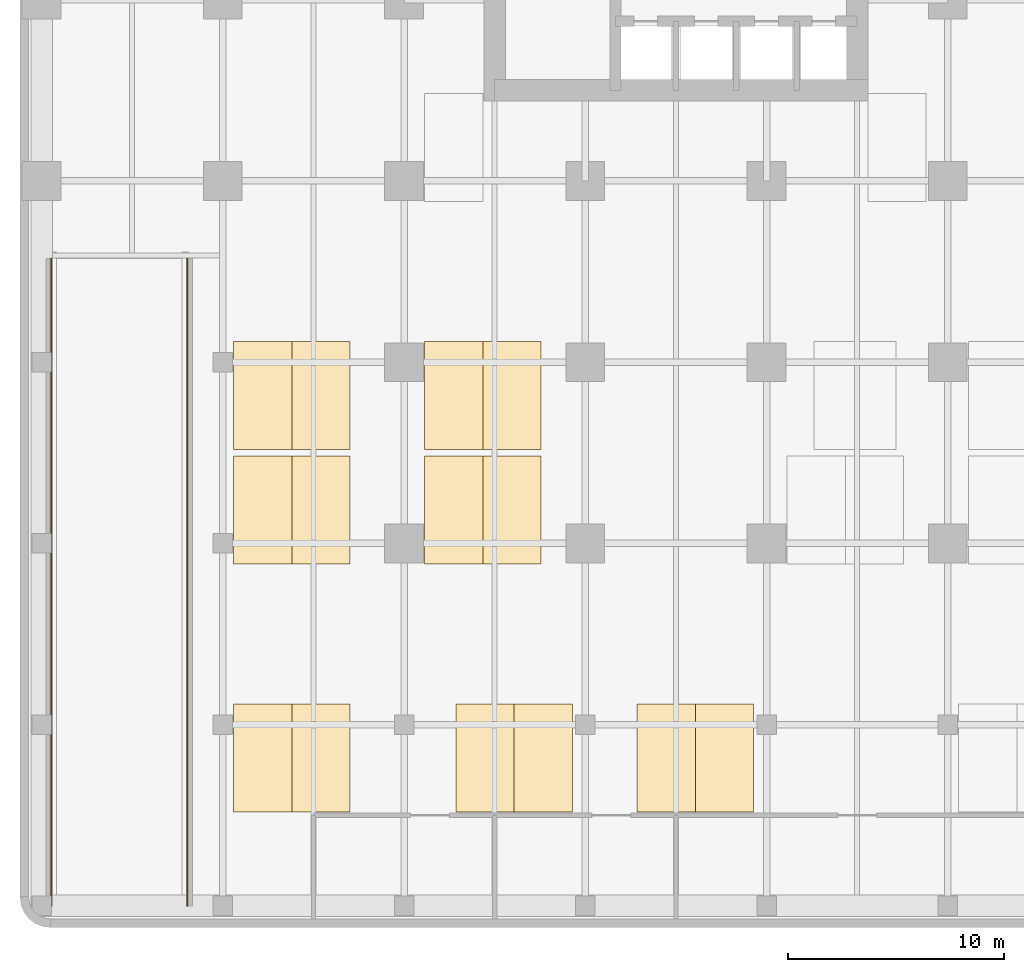
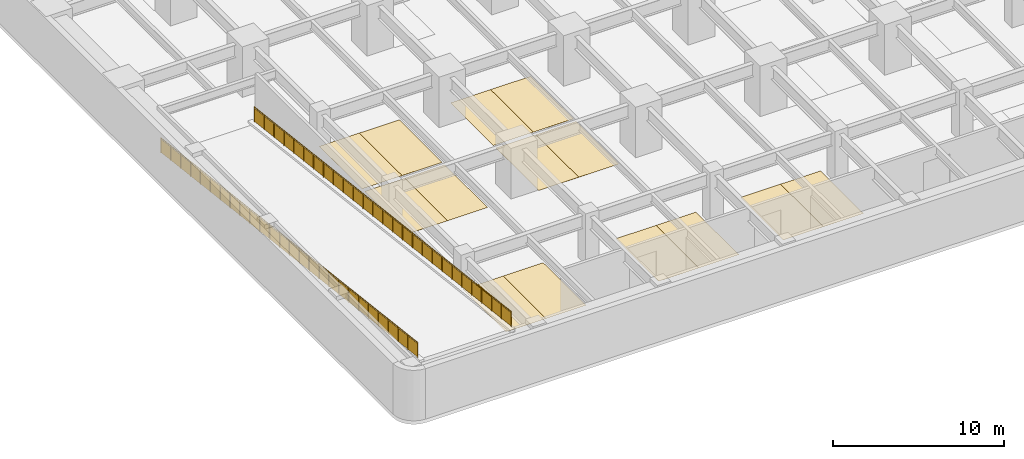
# One storey, part 7 of 9: 14 coverings, 2 railings.
"""IFC4 building model written with IfcOpenShell, lengths in metres."""

from ifc_helpers import new_model, si_unit, direction, frame, origin, origin_2d, place, context, subcontext, project, spatial, polyline, circle, outline, extrude, material, layer, layer_set, type_object, element, save


model = new_model("IFC4")

# Units and contexts
model_context = context("Model", 3, precision=1e-05, world=origin(), true_north=direction((0.0, 1.0)))
body_context = subcontext(model_context, "Body", "Model", "MODEL_VIEW")
ifc_project = project(units=[si_unit("LENGTHUNIT", "METRE"), si_unit("AREAUNIT", "SQUARE_METRE"), si_unit("VOLUMEUNIT", "CUBIC_METRE"), si_unit("PLANEANGLEUNIT", "RADIAN"), si_unit("MASSUNIT", "GRAM", prefix="KILO")], contexts=[model_context])

# Site, building, storey
site_placement = place(None, origin())
site = spatial("IfcSite", under=ifc_project, at=site_placement, CompositionType="ELEMENT")
building_placement = place(site_placement, origin())
building = spatial("IfcBuilding", under=site, at=building_placement, Name="Torre Alcanfor", CompositionType="ELEMENT")
storey_placement = place(building_placement, frame((0.0, 0.0, -3.60009765625)))
storey = spatial("IfcBuildingStorey", under=building, at=storey_placement, Name="B1", CompositionType="ELEMENT", Elevation=-3.60009765625)

# Coverings
ifc_material_1 = material(Name="Line-marking paint on sealed concrete", Category="concrete")
ifc_layer = layer(ifc_material_1, 0.0029296875)
ifc_layer_set = layer_set([ifc_layer], Name="Parking bay marking 2700x5000")
covering_type = type_object("IfcCoveringType", Name="Parking bay marking 2700x5000", PredefinedType="USERDEFINED", material=ifc_layer_set)
covering_1_placement = place(storey_placement, origin())
element("IfcCovering", 1, at=covering_1_placement, inside=storey, type_object=covering_type, Name="Parking bay 101", ObjectType="PARKING BAY", PredefinedType="USERDEFINED", context=body_context, shape_type="SweptSolid", body=[
    extrude(outline(polyline([(8.89990234375, -12.449951171875), (11.60009765625, -12.449951171875), (11.60009765625, -7.449951171875), (8.89990234375, -7.449951171875), (8.89990234375, -12.449951171875)])), origin(), (0.0, 0.0, 1.0), 0.003173828125),
])
covering_2_placement = place(storey_placement, origin())
element("IfcCovering", 2, at=covering_2_placement, inside=storey, type_object=covering_type, Name="Parking bay 102", ObjectType="PARKING BAY", PredefinedType="USERDEFINED", context=body_context, shape_type="SweptSolid", body=[
    extrude(outline(polyline([(11.60009765625, -12.449951171875), (14.300048828125, -12.449951171875), (14.300048828125, -7.449951171875), (11.60009765625, -7.449951171875), (11.60009765625, -12.449951171875)])), origin(), (0.0, 0.0, 1.0), 0.003173828125),
])
covering_3_placement = place(storey_placement, origin())
element("IfcCovering", 3, at=covering_3_placement, inside=storey, type_object=covering_type, Name="Parking bay 103", ObjectType="PARKING BAY", PredefinedType="USERDEFINED", context=body_context, shape_type="SweptSolid", body=[
    extrude(outline(polyline([(19.199951171875, -12.449951171875), (21.89990234375, -12.449951171875), (21.89990234375, -7.449951171875), (19.199951171875, -7.449951171875), (19.199951171875, -12.449951171875)])), origin(), (0.0, 0.0, 1.0), 0.003173828125),
])
covering_4_placement = place(storey_placement, origin())
element("IfcCovering", 4, at=covering_4_placement, inside=storey, type_object=covering_type, Name="Parking bay 104", ObjectType="PARKING BAY", PredefinedType="USERDEFINED", context=body_context, shape_type="SweptSolid", body=[
    extrude(outline(polyline([(21.89990234375, -12.449951171875), (24.60009765625, -12.449951171875), (24.60009765625, -7.449951171875), (21.89990234375, -7.449951171875), (21.89990234375, -12.449951171875)])), origin(), (0.0, 0.0, 1.0), 0.003173828125),
])
covering_5_placement = place(storey_placement, origin())
element("IfcCovering", 5, at=covering_5_placement, inside=storey, type_object=covering_type, Name="Parking bay 105", ObjectType="PARKING BAY", PredefinedType="USERDEFINED", context=body_context, shape_type="SweptSolid", body=[
    extrude(outline(polyline([(27.60009765625, -12.449951171875), (30.300048828125, -12.449951171875), (30.300048828125, -7.449951171875), (27.60009765625, -7.449951171875), (27.60009765625, -12.449951171875)])), origin(), (0.0, 0.0, 1.0), 0.003173828125),
])
covering_6_placement = place(storey_placement, origin())
element("IfcCovering", 6, at=covering_6_placement, inside=storey, type_object=covering_type, Name="Parking bay 106", ObjectType="PARKING BAY", PredefinedType="USERDEFINED", context=body_context, shape_type="SweptSolid", body=[
    extrude(outline(polyline([(30.300048828125, -12.449951171875), (33.0, -12.449951171875), (33.0, -7.449951171875), (30.300048828125, -7.449951171875), (30.300048828125, -12.449951171875)])), origin(), (0.0, 0.0, 1.0), 0.003173828125),
])
covering_7_placement = place(storey_placement, origin())
element("IfcCovering", 7, at=covering_7_placement, inside=storey, type_object=covering_type, Name="Parking bay 110", ObjectType="PARKING BAY", PredefinedType="USERDEFINED", context=body_context, shape_type="SweptSolid", body=[
    extrude(outline(polyline([(8.89990234375, -0.949951171875), (11.60009765625, -0.949951171875), (11.60009765625, 4.050048828125), (8.89990234375, 4.050048828125), (8.89990234375, -0.949951171875)])), origin(), (0.0, 0.0, 1.0), 0.003173828125),
])
covering_8_placement = place(storey_placement, origin())
element("IfcCovering", 8, at=covering_8_placement, inside=storey, type_object=covering_type, Name="Parking bay 111", ObjectType="PARKING BAY", PredefinedType="USERDEFINED", context=body_context, shape_type="SweptSolid", body=[
    extrude(outline(polyline([(11.60009765625, -0.949951171875), (14.300048828125, -0.949951171875), (14.300048828125, 4.050048828125), (11.60009765625, 4.050048828125), (11.60009765625, -0.949951171875)])), origin(), (0.0, 0.0, 1.0), 0.003173828125),
])
covering_9_placement = place(storey_placement, origin())
element("IfcCovering", 9, at=covering_9_placement, inside=storey, type_object=covering_type, Name="Parking bay 112", ObjectType="PARKING BAY", PredefinedType="USERDEFINED", context=body_context, shape_type="SweptSolid", body=[
    extrude(outline(polyline([(17.75, -0.949951171875), (20.449951171875, -0.949951171875), (20.449951171875, 4.050048828125), (17.75, 4.050048828125), (17.75, -0.949951171875)])), origin(), (0.0, 0.0, 1.0), 0.003173828125),
])
covering_10_placement = place(storey_placement, origin())
element("IfcCovering", 10, at=covering_10_placement, inside=storey, type_object=covering_type, Name="Parking bay 113", ObjectType="PARKING BAY", PredefinedType="USERDEFINED", context=body_context, shape_type="SweptSolid", body=[
    extrude(outline(polyline([(20.449951171875, -0.949951171875), (23.14990234375, -0.949951171875), (23.14990234375, 4.050048828125), (20.449951171875, 4.050048828125), (20.449951171875, -0.949951171875)])), origin(), (0.0, 0.0, 1.0), 0.003173828125),
])
covering_11_placement = place(storey_placement, origin())
element("IfcCovering", 11, at=covering_11_placement, inside=storey, type_object=covering_type, Name="Parking bay 118", ObjectType="PARKING BAY", PredefinedType="USERDEFINED", context=body_context, shape_type="SweptSolid", body=[
    extrude(outline(polyline([(8.89990234375, 4.35009765625), (11.60009765625, 4.35009765625), (11.60009765625, 9.35009765625), (8.89990234375, 9.35009765625), (8.89990234375, 4.35009765625)])), origin(), (0.0, 0.0, 1.0), 0.003173828125),
])
covering_12_placement = place(storey_placement, origin())
element("IfcCovering", 12, at=covering_12_placement, inside=storey, type_object=covering_type, Name="Parking bay 119", ObjectType="PARKING BAY", PredefinedType="USERDEFINED", context=body_context, shape_type="SweptSolid", body=[
    extrude(outline(polyline([(11.60009765625, 4.35009765625), (14.300048828125, 4.35009765625), (14.300048828125, 9.35009765625), (11.60009765625, 9.35009765625), (11.60009765625, 4.35009765625)])), origin(), (0.0, 0.0, 1.0), 0.003173828125),
])
covering_13_placement = place(storey_placement, origin())
element("IfcCovering", 13, at=covering_13_placement, inside=storey, type_object=covering_type, Name="Parking bay 120", ObjectType="PARKING BAY", PredefinedType="USERDEFINED", context=body_context, shape_type="SweptSolid", body=[
    extrude(outline(polyline([(17.75, 4.35009765625), (20.449951171875, 4.35009765625), (20.449951171875, 9.35009765625), (17.75, 9.35009765625), (17.75, 4.35009765625)])), origin(), (0.0, 0.0, 1.0), 0.003173828125),
])
covering_14_placement = place(storey_placement, origin())
element("IfcCovering", 14, at=covering_14_placement, inside=storey, type_object=covering_type, Name="Parking bay 121", ObjectType="PARKING BAY", PredefinedType="USERDEFINED", context=body_context, shape_type="SweptSolid", body=[
    extrude(outline(polyline([(20.449951171875, 4.35009765625), (23.14990234375, 4.35009765625), (23.14990234375, 9.35009765625), (20.449951171875, 9.35009765625), (20.449951171875, 4.35009765625)])), origin(), (0.0, 0.0, 1.0), 0.003173828125),
])

# Railings
ifc_material_2 = material(Name="Steel ASTM A500 Grade C hollow sections, hot-dip galvanised ASTM A123", Category="steel")
railing_type = type_object("IfcRailingType", Name="Ramp guard 1100", PredefinedType="GUARDRAIL", material=ifc_material_2)
railing_1_placement = place(storey_placement, frame((0.449951171875, -16.800048828125, 3.75)))
element("IfcRailing", 15, at=railing_1_placement, inside=storey, type_object=railing_type, Name="Ramp guard R1 1", PredefinedType="GUARDRAIL", context=body_context, shape_type="SweptSolid", body=[
    extrude(circle(Radius=0.02392578125, at=origin_2d()), frame((0.0, 0.0, 1.076171875), z_axis=(0.0, 0.992877411981, -0.119140441403), x_axis=(-1.0, 0.0, 0.0)), (0.0, 0.0, 1.0), 30.21533203125),
    extrude(circle(Radius=0.02099609375, at=origin_2d()), origin(), (0.0, 0.0, 1.0), 1.052001953125),
    extrude(circle(Radius=0.02099609375, at=origin_2d()), frame((0.0, 1.15380859375, -0.138427734375)), (0.0, 0.0, 1.0), 1.052001953125),
    extrude(circle(Radius=0.02099609375, at=origin_2d()), frame((0.0, 2.3076171875, -0.27685546875)), (0.0, 0.0, 1.0), 1.052001953125),
    extrude(circle(Radius=0.02099609375, at=origin_2d()), frame((0.0, 3.46142578125, -0.415283203125)), (0.0, 0.0, 1.0), 1.052001953125),
    extrude(circle(Radius=0.02099609375, at=origin_2d()), frame((0.0, 4.615478515625, -0.5537109375)), (0.0, 0.0, 1.0), 1.052001953125),
    extrude(circle(Radius=0.02099609375, at=origin_2d()), frame((0.0, 5.769287109375, -0.6923828125)), (0.0, 0.0, 1.0), 1.052001953125),
    extrude(circle(Radius=0.02099609375, at=origin_2d()), frame((0.0, 6.923095703125, -0.830810546875)), (0.0, 0.0, 1.0), 1.052001953125),
    extrude(circle(Radius=0.02099609375, at=origin_2d()), frame((0.0, 8.076904296875, -0.96923828125)), (0.0, 0.0, 1.0), 1.052001953125),
    extrude(circle(Radius=0.02099609375, at=origin_2d()), frame((0.0, 9.230712890625, -1.107666015625)), (0.0, 0.0, 1.0), 1.052001953125),
    extrude(circle(Radius=0.02099609375, at=origin_2d()), frame((0.0, 10.384521484375, -1.24609375)), (0.0, 0.0, 1.0), 1.052001953125),
    extrude(circle(Radius=0.02099609375, at=origin_2d()), frame((0.0, 11.53857421875, -1.384521484375)), (0.0, 0.0, 1.0), 1.052001953125),
    extrude(circle(Radius=0.02099609375, at=origin_2d()), frame((0.0, 12.6923828125, -1.52294921875)), (0.0, 0.0, 1.0), 1.052001953125),
    extrude(circle(Radius=0.02099609375, at=origin_2d()), frame((0.0, 13.84619140625, -1.661376953125)), (0.0, 0.0, 1.0), 1.052001953125),
    extrude(circle(Radius=0.02099609375, at=origin_2d()), frame((0.0, 15.0, -1.7998046875)), (0.0, 0.0, 1.0), 1.052001953125),
    extrude(circle(Radius=0.02099609375, at=origin_2d()), frame((0.0, 16.15380859375, -1.9384765625)), (0.0, 0.0, 1.0), 1.052001953125),
    extrude(circle(Radius=0.02099609375, at=origin_2d()), frame((0.0, 17.3076171875, -2.076904296875)), (0.0, 0.0, 1.0), 1.052001953125),
    extrude(circle(Radius=0.02099609375, at=origin_2d()), frame((0.0, 18.46142578125, -2.21533203125)), (0.0, 0.0, 1.0), 1.052001953125),
    extrude(circle(Radius=0.02099609375, at=origin_2d()), frame((0.0, 19.615478515625, -2.353759765625)), (0.0, 0.0, 1.0), 1.052001953125),
    extrude(circle(Radius=0.02099609375, at=origin_2d()), frame((0.0, 20.769287109375, -2.4921875)), (0.0, 0.0, 1.0), 1.052001953125),
    extrude(circle(Radius=0.02099609375, at=origin_2d()), frame((0.0, 21.923095703125, -2.630615234375)), (0.0, 0.0, 1.0), 1.052001953125),
    extrude(circle(Radius=0.02099609375, at=origin_2d()), frame((0.0, 23.076904296875, -2.76904296875)), (0.0, 0.0, 1.0), 1.052001953125),
    extrude(circle(Radius=0.02099609375, at=origin_2d()), frame((0.0, 24.230712890625, -2.907470703125)), (0.0, 0.0, 1.0), 1.052001953125),
    extrude(circle(Radius=0.02099609375, at=origin_2d()), frame((0.0, 25.384521484375, -3.046142578125)), (0.0, 0.0, 1.0), 1.052001953125),
    extrude(circle(Radius=0.02099609375, at=origin_2d()), frame((0.0, 26.53857421875, -3.1845703125)), (0.0, 0.0, 1.0), 1.052001953125),
    extrude(circle(Radius=0.02099609375, at=origin_2d()), frame((0.0, 27.6923828125, -3.322998046875)), (0.0, 0.0, 1.0), 1.052001953125),
    extrude(circle(Radius=0.02099609375, at=origin_2d()), frame((0.0, 28.84619140625, -3.46142578125)), (0.0, 0.0, 1.0), 1.052001953125),
    extrude(circle(Radius=0.02099609375, at=origin_2d()), frame((0.0, 30.0, -3.599853515625)), (0.0, 0.0, 1.0), 1.052001953125),
    extrude(outline(polyline([(0.041015625, 0.045166015625), (1.11279296875, -0.08349609375), (1.11279296875, 0.868408203125), (0.041015625, 0.9970703125), (0.041015625, 0.045166015625)])), frame((-0.005859375, 0.0, 0.0), z_axis=(1.0, 0.0, 0.0), x_axis=(0.0, 1.0, 0.0)), (0.0, 0.0, 1.0), 0.011962890625),
    extrude(outline(polyline([(1.19482421875, -0.09326171875), (2.2666015625, -0.221923828125), (2.2666015625, 0.72998046875), (1.19482421875, 0.858642578125), (1.19482421875, -0.09326171875)])), frame((-0.005859375, 0.0, 0.0), z_axis=(1.0, 0.0, 0.0), x_axis=(0.0, 1.0, 0.0)), (0.0, 0.0, 1.0), 0.011962890625),
    extrude(outline(polyline([(2.3486328125, -0.23193359375), (3.420654296875, -0.3603515625), (3.420654296875, 0.591552734375), (2.3486328125, 0.72021484375), (2.3486328125, -0.23193359375)])), frame((-0.005859375, 0.0, 0.0), z_axis=(1.0, 0.0, 0.0), x_axis=(0.0, 1.0, 0.0)), (0.0, 0.0, 1.0), 0.011962890625),
    extrude(outline(polyline([(3.50244140625, -0.370361328125), (4.574462890625, -0.4990234375), (4.574462890625, 0.453125), (3.50244140625, 0.581787109375), (3.50244140625, -0.370361328125)])), frame((-0.005859375, 0.0, 0.0), z_axis=(1.0, 0.0, 0.0), x_axis=(0.0, 1.0, 0.0)), (0.0, 0.0, 1.0), 0.011962890625),
    extrude(outline(polyline([(4.656494140625, -0.5087890625), (5.728271484375, -0.637451171875), (5.728271484375, 0.314697265625), (4.656494140625, 0.443359375), (4.656494140625, -0.5087890625)])), frame((-0.005859375, 0.0, 0.0), z_axis=(1.0, 0.0, 0.0), x_axis=(0.0, 1.0, 0.0)), (0.0, 0.0, 1.0), 0.011962890625),
    extrude(outline(polyline([(5.810302734375, -0.647216796875), (6.882080078125, -0.77587890625), (6.882080078125, 0.17626953125), (5.810302734375, 0.3046875), (5.810302734375, -0.647216796875)])), frame((-0.005859375, 0.0, 0.0), z_axis=(1.0, 0.0, 0.0), x_axis=(0.0, 1.0, 0.0)), (0.0, 0.0, 1.0), 0.011962890625),
    extrude(outline(polyline([(6.964111328125, -0.78564453125), (8.035888671875, -0.914306640625), (8.035888671875, 0.037841796875), (6.964111328125, 0.166259765625), (6.964111328125, -0.78564453125)])), frame((-0.005859375, 0.0, 0.0), z_axis=(1.0, 0.0, 0.0), x_axis=(0.0, 1.0, 0.0)), (0.0, 0.0, 1.0), 0.011962890625),
    extrude(outline(polyline([(8.117919921875, -0.924072265625), (9.189697265625, -1.052734375), (9.189697265625, -0.100830078125), (8.117919921875, 0.02783203125), (8.117919921875, -0.924072265625)])), frame((-0.005859375, 0.0, 0.0), z_axis=(1.0, 0.0, 0.0), x_axis=(0.0, 1.0, 0.0)), (0.0, 0.0, 1.0), 0.011962890625),
    extrude(outline(polyline([(9.271728515625, -1.0625), (10.343505859375, -1.191162109375), (10.343505859375, -0.2392578125), (9.271728515625, -0.110595703125), (9.271728515625, -1.0625)])), frame((-0.005859375, 0.0, 0.0), z_axis=(1.0, 0.0, 0.0), x_axis=(0.0, 1.0, 0.0)), (0.0, 0.0, 1.0), 0.011962890625),
    extrude(outline(polyline([(10.425537109375, -1.200927734375), (11.49755859375, -1.32958984375), (11.49755859375, -0.377685546875), (10.425537109375, -0.2490234375), (10.425537109375, -1.200927734375)])), frame((-0.005859375, 0.0, 0.0), z_axis=(1.0, 0.0, 0.0), x_axis=(0.0, 1.0, 0.0)), (0.0, 0.0, 1.0), 0.011962890625),
    extrude(outline(polyline([(11.579345703125, -1.339599609375), (12.6513671875, -1.468017578125), (12.6513671875, -0.51611328125), (11.579345703125, -0.387451171875), (11.579345703125, -1.339599609375)])), frame((-0.005859375, 0.0, 0.0), z_axis=(1.0, 0.0, 0.0), x_axis=(0.0, 1.0, 0.0)), (0.0, 0.0, 1.0), 0.011962890625),
    extrude(outline(polyline([(12.7333984375, -1.47802734375), (13.80517578125, -1.6064453125), (13.80517578125, -0.654541015625), (12.7333984375, -0.52587890625), (12.7333984375, -1.47802734375)])), frame((-0.005859375, 0.0, 0.0), z_axis=(1.0, 0.0, 0.0), x_axis=(0.0, 1.0, 0.0)), (0.0, 0.0, 1.0), 0.011962890625),
    extrude(outline(polyline([(13.88720703125, -1.616455078125), (14.958984375, -1.7451171875), (14.958984375, -0.79296875), (13.88720703125, -0.664306640625), (13.88720703125, -1.616455078125)])), frame((-0.005859375, 0.0, 0.0), z_axis=(1.0, 0.0, 0.0), x_axis=(0.0, 1.0, 0.0)), (0.0, 0.0, 1.0), 0.011962890625),
    extrude(outline(polyline([(15.041015625, -1.7548828125), (16.11279296875, -1.883544921875), (16.11279296875, -0.931396484375), (15.041015625, -0.802734375), (15.041015625, -1.7548828125)])), frame((-0.005859375, 0.0, 0.0), z_axis=(1.0, 0.0, 0.0), x_axis=(0.0, 1.0, 0.0)), (0.0, 0.0, 1.0), 0.011962890625),
    extrude(outline(polyline([(16.19482421875, -1.893310546875), (17.2666015625, -2.02197265625), (17.2666015625, -1.06982421875), (16.19482421875, -0.94140625), (16.19482421875, -1.893310546875)])), frame((-0.005859375, 0.0, 0.0), z_axis=(1.0, 0.0, 0.0), x_axis=(0.0, 1.0, 0.0)), (0.0, 0.0, 1.0), 0.011962890625),
    extrude(outline(polyline([(17.3486328125, -2.03173828125), (18.420654296875, -2.160400390625), (18.420654296875, -1.20849609375), (17.3486328125, -1.079833984375), (17.3486328125, -2.03173828125)])), frame((-0.005859375, 0.0, 0.0), z_axis=(1.0, 0.0, 0.0), x_axis=(0.0, 1.0, 0.0)), (0.0, 0.0, 1.0), 0.011962890625),
    extrude(outline(polyline([(18.50244140625, -2.170166015625), (19.574462890625, -2.298828125), (19.574462890625, -1.346923828125), (18.50244140625, -1.21826171875), (18.50244140625, -2.170166015625)])), frame((-0.005859375, 0.0, 0.0), z_axis=(1.0, 0.0, 0.0), x_axis=(0.0, 1.0, 0.0)), (0.0, 0.0, 1.0), 0.011962890625),
    extrude(outline(polyline([(19.656494140625, -2.30859375), (20.728271484375, -2.437255859375), (20.728271484375, -1.4853515625), (19.656494140625, -1.356689453125), (19.656494140625, -2.30859375)])), frame((-0.005859375, 0.0, 0.0), z_axis=(1.0, 0.0, 0.0), x_axis=(0.0, 1.0, 0.0)), (0.0, 0.0, 1.0), 0.011962890625),
    extrude(outline(polyline([(20.810302734375, -2.447021484375), (21.882080078125, -2.57568359375), (21.882080078125, -1.623779296875), (20.810302734375, -1.4951171875), (20.810302734375, -2.447021484375)])), frame((-0.005859375, 0.0, 0.0), z_axis=(1.0, 0.0, 0.0), x_axis=(0.0, 1.0, 0.0)), (0.0, 0.0, 1.0), 0.011962890625),
    extrude(outline(polyline([(21.964111328125, -2.585693359375), (23.035888671875, -2.714111328125), (23.035888671875, -1.76220703125), (21.964111328125, -1.633544921875), (21.964111328125, -2.585693359375)])), frame((-0.005859375, 0.0, 0.0), z_axis=(1.0, 0.0, 0.0), x_axis=(0.0, 1.0, 0.0)), (0.0, 0.0, 1.0), 0.011962890625),
    extrude(outline(polyline([(23.117919921875, -2.72412109375), (24.189697265625, -2.8525390625), (24.189697265625, -1.900634765625), (23.117919921875, -1.77197265625), (23.117919921875, -2.72412109375)])), frame((-0.005859375, 0.0, 0.0), z_axis=(1.0, 0.0, 0.0), x_axis=(0.0, 1.0, 0.0)), (0.0, 0.0, 1.0), 0.011962890625),
    extrude(outline(polyline([(24.271728515625, -2.862548828125), (25.343505859375, -2.9912109375), (25.343505859375, -2.0390625), (24.271728515625, -1.910400390625), (24.271728515625, -2.862548828125)])), frame((-0.005859375, 0.0, 0.0), z_axis=(1.0, 0.0, 0.0), x_axis=(0.0, 1.0, 0.0)), (0.0, 0.0, 1.0), 0.011962890625),
    extrude(outline(polyline([(25.425537109375, -3.0009765625), (26.49755859375, -3.129638671875), (26.49755859375, -2.177490234375), (25.425537109375, -2.048828125), (25.425537109375, -3.0009765625)])), frame((-0.005859375, 0.0, 0.0), z_axis=(1.0, 0.0, 0.0), x_axis=(0.0, 1.0, 0.0)), (0.0, 0.0, 1.0), 0.011962890625),
    extrude(outline(polyline([(26.579345703125, -3.139404296875), (27.6513671875, -3.26806640625), (27.6513671875, -2.31591796875), (26.579345703125, -2.1875), (26.579345703125, -3.139404296875)])), frame((-0.005859375, 0.0, 0.0), z_axis=(1.0, 0.0, 0.0), x_axis=(0.0, 1.0, 0.0)), (0.0, 0.0, 1.0), 0.011962890625),
    extrude(outline(polyline([(27.7333984375, -3.27783203125), (28.80517578125, -3.406494140625), (28.80517578125, -2.45458984375), (27.7333984375, -2.325927734375), (27.7333984375, -3.27783203125)])), frame((-0.005859375, 0.0, 0.0), z_axis=(1.0, 0.0, 0.0), x_axis=(0.0, 1.0, 0.0)), (0.0, 0.0, 1.0), 0.011962890625),
    extrude(outline(polyline([(28.88720703125, -3.416259765625), (29.958984375, -3.544921875), (29.958984375, -2.593017578125), (28.88720703125, -2.46435546875), (28.88720703125, -3.416259765625)])), frame((-0.005859375, 0.0, 0.0), z_axis=(1.0, 0.0, 0.0), x_axis=(0.0, 1.0, 0.0)), (0.0, 0.0, 1.0), 0.011962890625),
])
railing_2_placement = place(storey_placement, frame((6.75, -16.800048828125, 3.75)))
element("IfcRailing", 16, at=railing_2_placement, inside=storey, type_object=railing_type, Name="Ramp guard R1 2", PredefinedType="GUARDRAIL", context=body_context, shape_type="SweptSolid", body=[
    extrude(circle(Radius=0.02392578125, at=origin_2d()), frame((0.0, 0.0, 1.076171875), z_axis=(0.0, 0.992877411981, -0.119140441403), x_axis=(-1.0, 0.0, 0.0)), (0.0, 0.0, 1.0), 30.21533203125),
    extrude(circle(Radius=0.02099609375, at=origin_2d()), origin(), (0.0, 0.0, 1.0), 1.052001953125),
    extrude(circle(Radius=0.02099609375, at=origin_2d()), frame((0.0, 1.15380859375, -0.138427734375)), (0.0, 0.0, 1.0), 1.052001953125),
    extrude(circle(Radius=0.02099609375, at=origin_2d()), frame((0.0, 2.3076171875, -0.27685546875)), (0.0, 0.0, 1.0), 1.052001953125),
    extrude(circle(Radius=0.02099609375, at=origin_2d()), frame((0.0, 3.46142578125, -0.415283203125)), (0.0, 0.0, 1.0), 1.052001953125),
    extrude(circle(Radius=0.02099609375, at=origin_2d()), frame((0.0, 4.615478515625, -0.5537109375)), (0.0, 0.0, 1.0), 1.052001953125),
    extrude(circle(Radius=0.02099609375, at=origin_2d()), frame((0.0, 5.769287109375, -0.6923828125)), (0.0, 0.0, 1.0), 1.052001953125),
    extrude(circle(Radius=0.02099609375, at=origin_2d()), frame((0.0, 6.923095703125, -0.830810546875)), (0.0, 0.0, 1.0), 1.052001953125),
    extrude(circle(Radius=0.02099609375, at=origin_2d()), frame((0.0, 8.076904296875, -0.96923828125)), (0.0, 0.0, 1.0), 1.052001953125),
    extrude(circle(Radius=0.02099609375, at=origin_2d()), frame((0.0, 9.230712890625, -1.107666015625)), (0.0, 0.0, 1.0), 1.052001953125),
    extrude(circle(Radius=0.02099609375, at=origin_2d()), frame((0.0, 10.384521484375, -1.24609375)), (0.0, 0.0, 1.0), 1.052001953125),
    extrude(circle(Radius=0.02099609375, at=origin_2d()), frame((0.0, 11.53857421875, -1.384521484375)), (0.0, 0.0, 1.0), 1.052001953125),
    extrude(circle(Radius=0.02099609375, at=origin_2d()), frame((0.0, 12.6923828125, -1.52294921875)), (0.0, 0.0, 1.0), 1.052001953125),
    extrude(circle(Radius=0.02099609375, at=origin_2d()), frame((0.0, 13.84619140625, -1.661376953125)), (0.0, 0.0, 1.0), 1.052001953125),
    extrude(circle(Radius=0.02099609375, at=origin_2d()), frame((0.0, 15.0, -1.7998046875)), (0.0, 0.0, 1.0), 1.052001953125),
    extrude(circle(Radius=0.02099609375, at=origin_2d()), frame((0.0, 16.15380859375, -1.9384765625)), (0.0, 0.0, 1.0), 1.052001953125),
    extrude(circle(Radius=0.02099609375, at=origin_2d()), frame((0.0, 17.3076171875, -2.076904296875)), (0.0, 0.0, 1.0), 1.052001953125),
    extrude(circle(Radius=0.02099609375, at=origin_2d()), frame((0.0, 18.46142578125, -2.21533203125)), (0.0, 0.0, 1.0), 1.052001953125),
    extrude(circle(Radius=0.02099609375, at=origin_2d()), frame((0.0, 19.615478515625, -2.353759765625)), (0.0, 0.0, 1.0), 1.052001953125),
    extrude(circle(Radius=0.02099609375, at=origin_2d()), frame((0.0, 20.769287109375, -2.4921875)), (0.0, 0.0, 1.0), 1.052001953125),
    extrude(circle(Radius=0.02099609375, at=origin_2d()), frame((0.0, 21.923095703125, -2.630615234375)), (0.0, 0.0, 1.0), 1.052001953125),
    extrude(circle(Radius=0.02099609375, at=origin_2d()), frame((0.0, 23.076904296875, -2.76904296875)), (0.0, 0.0, 1.0), 1.052001953125),
    extrude(circle(Radius=0.02099609375, at=origin_2d()), frame((0.0, 24.230712890625, -2.907470703125)), (0.0, 0.0, 1.0), 1.052001953125),
    extrude(circle(Radius=0.02099609375, at=origin_2d()), frame((0.0, 25.384521484375, -3.046142578125)), (0.0, 0.0, 1.0), 1.052001953125),
    extrude(circle(Radius=0.02099609375, at=origin_2d()), frame((0.0, 26.53857421875, -3.1845703125)), (0.0, 0.0, 1.0), 1.052001953125),
    extrude(circle(Radius=0.02099609375, at=origin_2d()), frame((0.0, 27.6923828125, -3.322998046875)), (0.0, 0.0, 1.0), 1.052001953125),
    extrude(circle(Radius=0.02099609375, at=origin_2d()), frame((0.0, 28.84619140625, -3.46142578125)), (0.0, 0.0, 1.0), 1.052001953125),
    extrude(circle(Radius=0.02099609375, at=origin_2d()), frame((0.0, 30.0, -3.599853515625)), (0.0, 0.0, 1.0), 1.052001953125),
    extrude(outline(polyline([(0.041015625, 0.045166015625), (1.11279296875, -0.08349609375), (1.11279296875, 0.868408203125), (0.041015625, 0.9970703125), (0.041015625, 0.045166015625)])), frame((-0.005859375, 0.0, 0.0), z_axis=(1.0, 0.0, 0.0), x_axis=(0.0, 1.0, 0.0)), (0.0, 0.0, 1.0), 0.011962890625),
    extrude(outline(polyline([(1.19482421875, -0.09326171875), (2.2666015625, -0.221923828125), (2.2666015625, 0.72998046875), (1.19482421875, 0.858642578125), (1.19482421875, -0.09326171875)])), frame((-0.005859375, 0.0, 0.0), z_axis=(1.0, 0.0, 0.0), x_axis=(0.0, 1.0, 0.0)), (0.0, 0.0, 1.0), 0.011962890625),
    extrude(outline(polyline([(2.3486328125, -0.23193359375), (3.420654296875, -0.3603515625), (3.420654296875, 0.591552734375), (2.3486328125, 0.72021484375), (2.3486328125, -0.23193359375)])), frame((-0.005859375, 0.0, 0.0), z_axis=(1.0, 0.0, 0.0), x_axis=(0.0, 1.0, 0.0)), (0.0, 0.0, 1.0), 0.011962890625),
    extrude(outline(polyline([(3.50244140625, -0.370361328125), (4.574462890625, -0.4990234375), (4.574462890625, 0.453125), (3.50244140625, 0.581787109375), (3.50244140625, -0.370361328125)])), frame((-0.005859375, 0.0, 0.0), z_axis=(1.0, 0.0, 0.0), x_axis=(0.0, 1.0, 0.0)), (0.0, 0.0, 1.0), 0.011962890625),
    extrude(outline(polyline([(4.656494140625, -0.5087890625), (5.728271484375, -0.637451171875), (5.728271484375, 0.314697265625), (4.656494140625, 0.443359375), (4.656494140625, -0.5087890625)])), frame((-0.005859375, 0.0, 0.0), z_axis=(1.0, 0.0, 0.0), x_axis=(0.0, 1.0, 0.0)), (0.0, 0.0, 1.0), 0.011962890625),
    extrude(outline(polyline([(5.810302734375, -0.647216796875), (6.882080078125, -0.77587890625), (6.882080078125, 0.17626953125), (5.810302734375, 0.3046875), (5.810302734375, -0.647216796875)])), frame((-0.005859375, 0.0, 0.0), z_axis=(1.0, 0.0, 0.0), x_axis=(0.0, 1.0, 0.0)), (0.0, 0.0, 1.0), 0.011962890625),
    extrude(outline(polyline([(6.964111328125, -0.78564453125), (8.035888671875, -0.914306640625), (8.035888671875, 0.037841796875), (6.964111328125, 0.166259765625), (6.964111328125, -0.78564453125)])), frame((-0.005859375, 0.0, 0.0), z_axis=(1.0, 0.0, 0.0), x_axis=(0.0, 1.0, 0.0)), (0.0, 0.0, 1.0), 0.011962890625),
    extrude(outline(polyline([(8.117919921875, -0.924072265625), (9.189697265625, -1.052734375), (9.189697265625, -0.100830078125), (8.117919921875, 0.02783203125), (8.117919921875, -0.924072265625)])), frame((-0.005859375, 0.0, 0.0), z_axis=(1.0, 0.0, 0.0), x_axis=(0.0, 1.0, 0.0)), (0.0, 0.0, 1.0), 0.011962890625),
    extrude(outline(polyline([(9.271728515625, -1.0625), (10.343505859375, -1.191162109375), (10.343505859375, -0.2392578125), (9.271728515625, -0.110595703125), (9.271728515625, -1.0625)])), frame((-0.005859375, 0.0, 0.0), z_axis=(1.0, 0.0, 0.0), x_axis=(0.0, 1.0, 0.0)), (0.0, 0.0, 1.0), 0.011962890625),
    extrude(outline(polyline([(10.425537109375, -1.200927734375), (11.49755859375, -1.32958984375), (11.49755859375, -0.377685546875), (10.425537109375, -0.2490234375), (10.425537109375, -1.200927734375)])), frame((-0.005859375, 0.0, 0.0), z_axis=(1.0, 0.0, 0.0), x_axis=(0.0, 1.0, 0.0)), (0.0, 0.0, 1.0), 0.011962890625),
    extrude(outline(polyline([(11.579345703125, -1.339599609375), (12.6513671875, -1.468017578125), (12.6513671875, -0.51611328125), (11.579345703125, -0.387451171875), (11.579345703125, -1.339599609375)])), frame((-0.005859375, 0.0, 0.0), z_axis=(1.0, 0.0, 0.0), x_axis=(0.0, 1.0, 0.0)), (0.0, 0.0, 1.0), 0.011962890625),
    extrude(outline(polyline([(12.7333984375, -1.47802734375), (13.80517578125, -1.6064453125), (13.80517578125, -0.654541015625), (12.7333984375, -0.52587890625), (12.7333984375, -1.47802734375)])), frame((-0.005859375, 0.0, 0.0), z_axis=(1.0, 0.0, 0.0), x_axis=(0.0, 1.0, 0.0)), (0.0, 0.0, 1.0), 0.011962890625),
    extrude(outline(polyline([(13.88720703125, -1.616455078125), (14.958984375, -1.7451171875), (14.958984375, -0.79296875), (13.88720703125, -0.664306640625), (13.88720703125, -1.616455078125)])), frame((-0.005859375, 0.0, 0.0), z_axis=(1.0, 0.0, 0.0), x_axis=(0.0, 1.0, 0.0)), (0.0, 0.0, 1.0), 0.011962890625),
    extrude(outline(polyline([(15.041015625, -1.7548828125), (16.11279296875, -1.883544921875), (16.11279296875, -0.931396484375), (15.041015625, -0.802734375), (15.041015625, -1.7548828125)])), frame((-0.005859375, 0.0, 0.0), z_axis=(1.0, 0.0, 0.0), x_axis=(0.0, 1.0, 0.0)), (0.0, 0.0, 1.0), 0.011962890625),
    extrude(outline(polyline([(16.19482421875, -1.893310546875), (17.2666015625, -2.02197265625), (17.2666015625, -1.06982421875), (16.19482421875, -0.94140625), (16.19482421875, -1.893310546875)])), frame((-0.005859375, 0.0, 0.0), z_axis=(1.0, 0.0, 0.0), x_axis=(0.0, 1.0, 0.0)), (0.0, 0.0, 1.0), 0.011962890625),
    extrude(outline(polyline([(17.3486328125, -2.03173828125), (18.420654296875, -2.160400390625), (18.420654296875, -1.20849609375), (17.3486328125, -1.079833984375), (17.3486328125, -2.03173828125)])), frame((-0.005859375, 0.0, 0.0), z_axis=(1.0, 0.0, 0.0), x_axis=(0.0, 1.0, 0.0)), (0.0, 0.0, 1.0), 0.011962890625),
    extrude(outline(polyline([(18.50244140625, -2.170166015625), (19.574462890625, -2.298828125), (19.574462890625, -1.346923828125), (18.50244140625, -1.21826171875), (18.50244140625, -2.170166015625)])), frame((-0.005859375, 0.0, 0.0), z_axis=(1.0, 0.0, 0.0), x_axis=(0.0, 1.0, 0.0)), (0.0, 0.0, 1.0), 0.011962890625),
    extrude(outline(polyline([(19.656494140625, -2.30859375), (20.728271484375, -2.437255859375), (20.728271484375, -1.4853515625), (19.656494140625, -1.356689453125), (19.656494140625, -2.30859375)])), frame((-0.005859375, 0.0, 0.0), z_axis=(1.0, 0.0, 0.0), x_axis=(0.0, 1.0, 0.0)), (0.0, 0.0, 1.0), 0.011962890625),
    extrude(outline(polyline([(20.810302734375, -2.447021484375), (21.882080078125, -2.57568359375), (21.882080078125, -1.623779296875), (20.810302734375, -1.4951171875), (20.810302734375, -2.447021484375)])), frame((-0.005859375, 0.0, 0.0), z_axis=(1.0, 0.0, 0.0), x_axis=(0.0, 1.0, 0.0)), (0.0, 0.0, 1.0), 0.011962890625),
    extrude(outline(polyline([(21.964111328125, -2.585693359375), (23.035888671875, -2.714111328125), (23.035888671875, -1.76220703125), (21.964111328125, -1.633544921875), (21.964111328125, -2.585693359375)])), frame((-0.005859375, 0.0, 0.0), z_axis=(1.0, 0.0, 0.0), x_axis=(0.0, 1.0, 0.0)), (0.0, 0.0, 1.0), 0.011962890625),
    extrude(outline(polyline([(23.117919921875, -2.72412109375), (24.189697265625, -2.8525390625), (24.189697265625, -1.900634765625), (23.117919921875, -1.77197265625), (23.117919921875, -2.72412109375)])), frame((-0.005859375, 0.0, 0.0), z_axis=(1.0, 0.0, 0.0), x_axis=(0.0, 1.0, 0.0)), (0.0, 0.0, 1.0), 0.011962890625),
    extrude(outline(polyline([(24.271728515625, -2.862548828125), (25.343505859375, -2.9912109375), (25.343505859375, -2.0390625), (24.271728515625, -1.910400390625), (24.271728515625, -2.862548828125)])), frame((-0.005859375, 0.0, 0.0), z_axis=(1.0, 0.0, 0.0), x_axis=(0.0, 1.0, 0.0)), (0.0, 0.0, 1.0), 0.011962890625),
    extrude(outline(polyline([(25.425537109375, -3.0009765625), (26.49755859375, -3.129638671875), (26.49755859375, -2.177490234375), (25.425537109375, -2.048828125), (25.425537109375, -3.0009765625)])), frame((-0.005859375, 0.0, 0.0), z_axis=(1.0, 0.0, 0.0), x_axis=(0.0, 1.0, 0.0)), (0.0, 0.0, 1.0), 0.011962890625),
    extrude(outline(polyline([(26.579345703125, -3.139404296875), (27.6513671875, -3.26806640625), (27.6513671875, -2.31591796875), (26.579345703125, -2.1875), (26.579345703125, -3.139404296875)])), frame((-0.005859375, 0.0, 0.0), z_axis=(1.0, 0.0, 0.0), x_axis=(0.0, 1.0, 0.0)), (0.0, 0.0, 1.0), 0.011962890625),
    extrude(outline(polyline([(27.7333984375, -3.27783203125), (28.80517578125, -3.406494140625), (28.80517578125, -2.45458984375), (27.7333984375, -2.325927734375), (27.7333984375, -3.27783203125)])), frame((-0.005859375, 0.0, 0.0), z_axis=(1.0, 0.0, 0.0), x_axis=(0.0, 1.0, 0.0)), (0.0, 0.0, 1.0), 0.011962890625),
    extrude(outline(polyline([(28.88720703125, -3.416259765625), (29.958984375, -3.544921875), (29.958984375, -2.593017578125), (28.88720703125, -2.46435546875), (28.88720703125, -3.416259765625)])), frame((-0.005859375, 0.0, 0.0), z_axis=(1.0, 0.0, 0.0), x_axis=(0.0, 1.0, 0.0)), (0.0, 0.0, 1.0), 0.011962890625),
])

save(model, "model.ifc")
